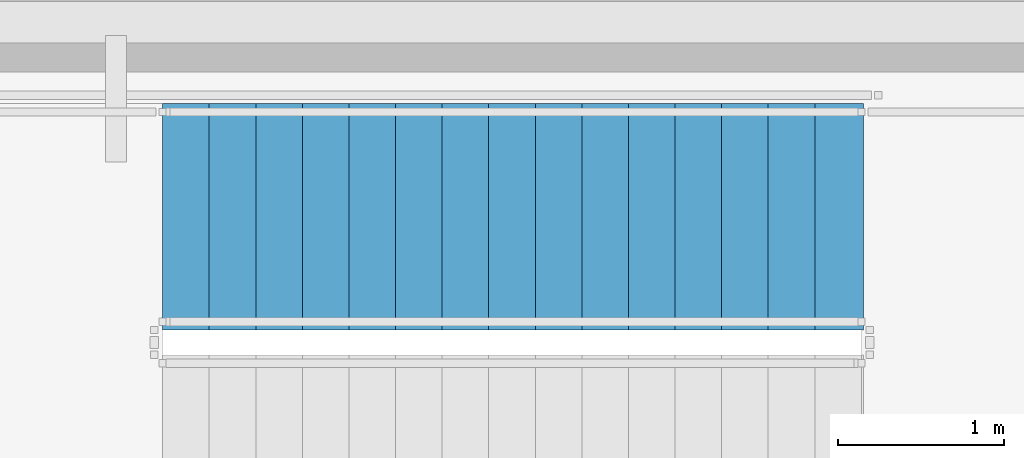
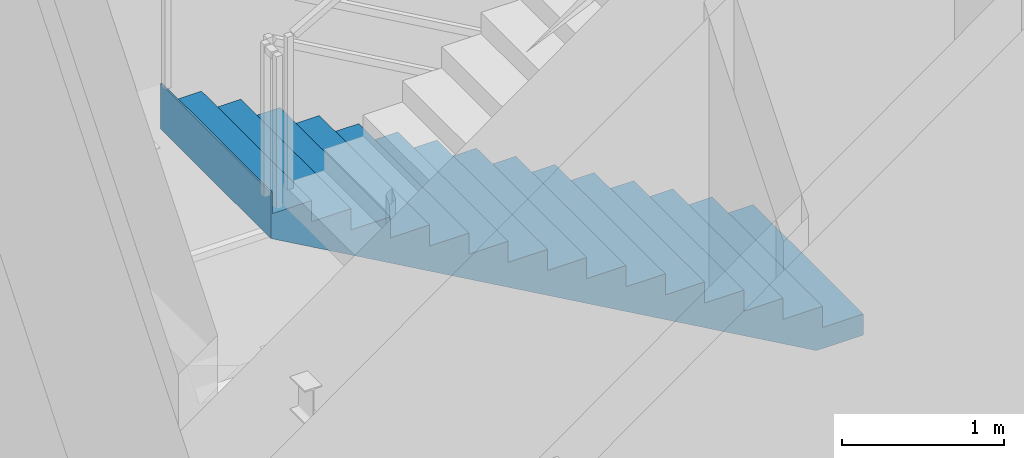
# One storey, part 5 of 8: 1 stair flight, 1 element without a shape of its own.
"""IFC4 building model written with IfcOpenShell, lengths in metres."""

from ifc_helpers import new_model, si_unit, direction, frame, origin, place, context, subcontext, project, spatial, polyline, outline, extrude, material, type_object, element, aggregate, save


model = new_model("IFC4")

# Units and contexts
model_context = context("Model", 3, precision=1e-05, world=origin(), true_north=direction((0.0, 1.0)))
body_context = subcontext(model_context, "Body", "Model", "MODEL_VIEW")
ifc_project = project(units=[si_unit("LENGTHUNIT", "METRE"), si_unit("AREAUNIT", "SQUARE_METRE"), si_unit("VOLUMEUNIT", "CUBIC_METRE"), si_unit("PLANEANGLEUNIT", "RADIAN"), si_unit("MASSUNIT", "GRAM", prefix="KILO")], contexts=[model_context])

# Site, building, storey
site_placement = place(None, origin())
site = spatial("IfcSite", under=ifc_project, at=site_placement, CompositionType="ELEMENT")
building_placement = place(site_placement, origin())
building = spatial("IfcBuilding", under=site, at=building_placement, Name="Yunling Apex Tower", CompositionType="ELEMENT")
storey_placement = place(building_placement, frame((0.0, 0.0, 219.050048828125)))
storey = spatial("IfcBuildingStorey", under=building, at=storey_placement, Name="RF6", CompositionType="ELEMENT", Elevation=219.050048828125)

# Stair, stair flight
ifc_material = material(Name="Concrete C40", Category="concrete")
stair_type = type_object("IfcStairType", Name="ST-TWR-1", PredefinedType="HALF_TURN_STAIR", material=ifc_material)
stair_placement = place(storey_placement, origin())
stair = element("IfcStair", 1, at=stair_placement, inside=storey, type_object=stair_type, Name="RF6 North Core Smokeproof Exit Stair ST-1", PredefinedType="HALF_TURN_STAIR")
stair_flight_type = type_object("IfcStairFlightType", Name="SFL-TWR-1", PredefinedType="STRAIGHT", material=ifc_material)
stair_flight_placement = place(storey_placement, frame((-0.010009765625, 4.330078125, 0.0), z_axis=(0.0, 0.0, 1.0), x_axis=(-1.0, 0.0, 0.0)))
stair_flight = element("IfcStairFlight", 2, at=stair_flight_placement, type_object=stair_flight_type, Name="ST-1 flight 1", NumberOfRisers=16, NumberOfTreads=15, PredefinedType="STRAIGHT", RiserHeight=0.159375, TreadLength=0.28, context=body_context, shape_type="SweptSolid", body=[
    extrude(outline(polyline([(-0.011962890625, 0.0), (-0.011962890625, 0.159423828125), (0.0, 0.159423828125), (0.280029296875, 0.159423828125), (0.280029296875, 0.31884765625), (0.56005859375, 0.31884765625), (0.56005859375, 0.47802734375), (0.840087890625, 0.47802734375), (0.840087890625, 0.637451171875), (1.1201171875, 0.637451171875), (1.1201171875, 0.796875), (1.39990234375, 0.796875), (1.39990234375, 0.956298828125), (1.679931640625, 0.956298828125), (1.679931640625, 1.11572265625), (1.9599609375, 1.11572265625), (1.9599609375, 1.27490234375), (2.239990234375, 1.27490234375), (2.239990234375, 1.434326171875), (2.52001953125, 1.434326171875), (2.52001953125, 1.59375), (2.800048828125, 1.59375), (2.800048828125, 1.753173828125), (3.080078125, 1.753173828125), (3.080078125, 1.91259765625), (3.360107421875, 1.91259765625), (3.360107421875, 2.07177734375), (3.639892578125, 2.07177734375), (3.639892578125, 2.231201171875), (3.919921875, 2.231201171875), (3.919921875, 2.390625), (4.199951171875, 2.390625), (4.199951171875, 2.550048828125), (4.2119140625, 2.550048828125), (4.2119140625, 2.20654296875), (0.3232421875, 0.0), (-0.011962890625, 0.0)])), frame((0.0, 0.68017578125, 0.0), z_axis=(0.0, -1.0, 0.0), x_axis=(1.0, 0.0, 0.0)), (0.0, 0.0, 1.0), 1.360107421875),
])
aggregate(stair, [stair_flight])

save(model, "model.ifc")
